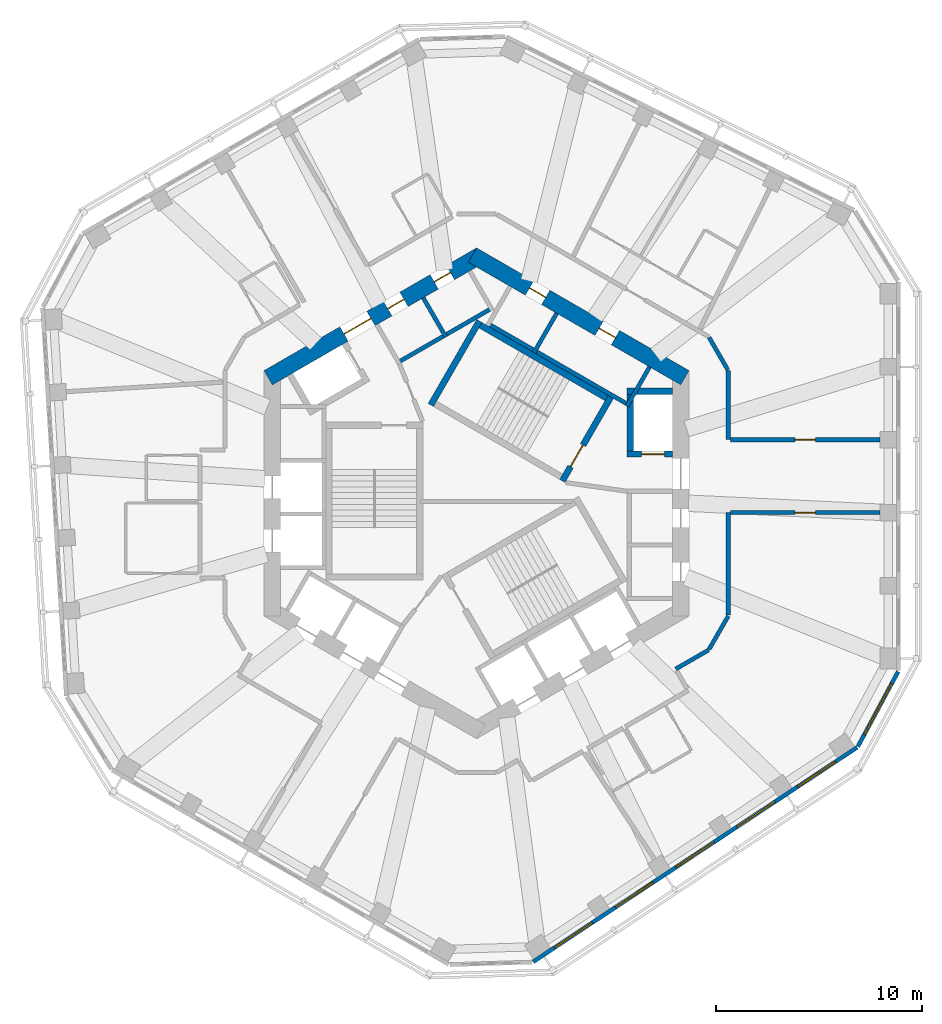
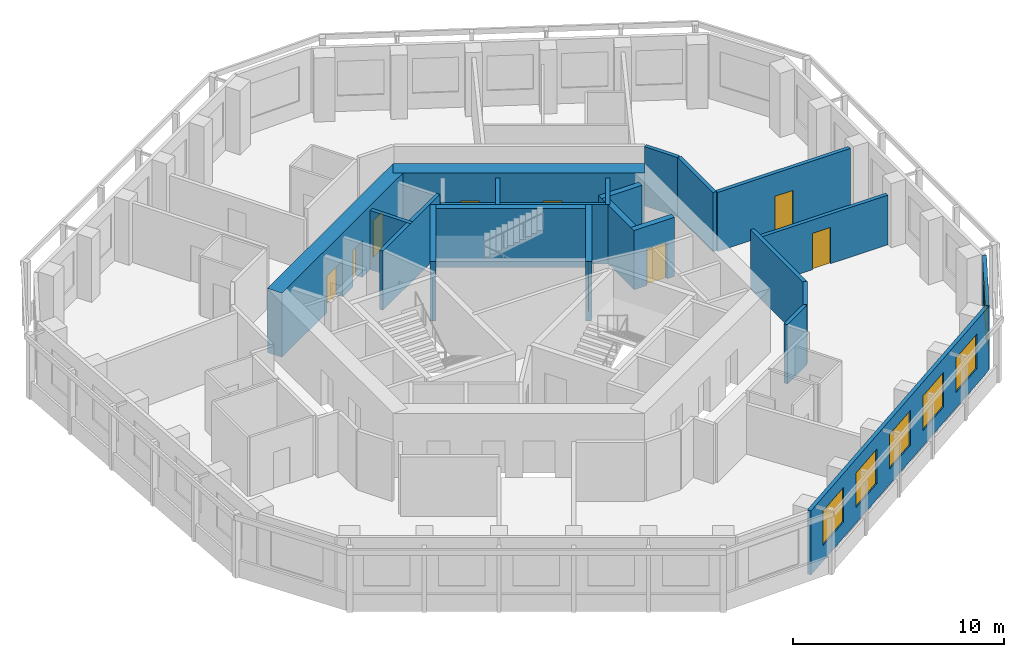
# One storey, part 6 of 11: 22 walls, 9 doors, 6 windows, 15 openings.
"""IFC4 building model written with IfcOpenShell, lengths in metres."""

from ifc_helpers import new_model, si_unit, direction, frame, frame_2d, origin, place, context, subcontext, project, spatial, rectangle, extrude, material, layer, layer_set, type_object, element, fill, save


model = new_model("IFC4")

# Units and contexts
model_context = context("Model", 3, precision=1e-05, world=origin(), true_north=direction((0.0, 1.0)))
body_context = subcontext(model_context, "Body", "Model", "MODEL_VIEW")
ifc_project = project(units=[si_unit("LENGTHUNIT", "METRE"), si_unit("AREAUNIT", "SQUARE_METRE"), si_unit("VOLUMEUNIT", "CUBIC_METRE"), si_unit("PLANEANGLEUNIT", "RADIAN"), si_unit("MASSUNIT", "GRAM", prefix="KILO")], contexts=[model_context])

# Site, building, storey
site_placement = place(None, origin())
site = spatial("IfcSite", under=ifc_project, at=site_placement, CompositionType="ELEMENT")
building_placement = place(site_placement, origin())
building = spatial("IfcBuilding", under=site, at=building_placement, Name="Vanh Sen Convention Tower", CompositionType="ELEMENT")
storey_placement = place(building_placement, frame((0.0, 0.0, 247.60009765625)))
storey = spatial("IfcBuildingStorey", under=building, at=storey_placement, Name="L61", CompositionType="ELEMENT", Elevation=247.60009765625)

# Wall, openings, doors
ifc_material_1 = material(Name="Concrete C60/75", Category="concrete")
ifc_layer_1 = layer(ifc_material_1, 0.800048828125)
ifc_layer_set_1 = layer_set([ifc_layer_1], Name="Concrete C60/75")
wall_type_1 = type_object("IfcWallType", Name="Core outer wall 800 C60/75", PredefinedType="SHEAR", material=ifc_layer_set_1)
wall_1_placement = place(storey_placement, frame((10.10009765625, 5.600341796875, 0.0), z_axis=(0.0, 0.0, 1.0), x_axis=(-0.866023897231, 0.500002609418, 0.0)))
wall_1 = element("IfcWall", 1, at=wall_1_placement, inside=storey, type_object=wall_type_1, Name="Core wall face NE L61", PredefinedType="SHEAR", context=body_context, shape_type="SweptSolid", body=[
    extrude(rectangle(XDim=11.8935546875, YDim=0.800048828125, at=frame_2d((5.94677734375, 0.0))), origin(), (0.0, 0.0, 1.0), 3.699951171875),
])
opening_1_placement = place(wall_1_placement, frame((3.896728515625, 0.0, 0.0)))
opening_1 = element("IfcOpeningElement", 2, at=opening_1_placement, cuts=wall_1, Name="Opening D61011", PredefinedType="OPENING", context=body_context, shape_type="SweptSolid", body=[
    extrude(rectangle(XDim=0.89990234375, YDim=2.10009765625, at=frame_2d((0.449951171875, 1.050048828125))), frame((0.0, 0.409912109375, 0.0), z_axis=(0.0, -1.0, 0.0), x_axis=(1.0, 0.0, 0.0)), (0.0, 0.0, 1.0), 0.820068359375),
])
opening_2_placement = place(wall_1_placement, frame((7.796630859375, 0.0, 0.0)))
opening_2 = element("IfcOpeningElement", 3, at=opening_2_placement, cuts=wall_1, Name="Opening D61012", PredefinedType="OPENING", context=body_context, shape_type="SweptSolid", body=[
    extrude(rectangle(XDim=0.89990234375, YDim=2.10009765625, at=frame_2d((0.449951171875, 1.050048828125))), frame((0.0, 0.409912109375, 0.0), z_axis=(0.0, -1.0, 0.0), x_axis=(1.0, 0.0, 0.0)), (0.0, 0.0, 1.0), 0.820068359375),
])
ifc_material_2 = material(Name="Steel S355", Category="steel")
door_type_1 = type_object("IfcDoorType", Name="Plant door 900", OperationType="SINGLE_SWING_LEFT", PredefinedType="DOOR", material=ifc_material_2)
door_1_placement = place(opening_1_placement, origin())
door_1 = element("IfcDoor", 4, at=door_1_placement, inside=storey, type_object=door_type_1, Name="Plant door D61011", OperationType="SINGLE_SWING_LEFT", OverallHeight=2.10009765625, OverallWidth=0.89990234375, PredefinedType="DOOR", context=body_context, shape_type="SweptSolid", body=[
    extrude(rectangle(XDim=0.89990234375, YDim=2.10009765625, at=frame_2d((0.449951171875, 1.050048828125))), frame((0.0, 0.02490234375, 0.0), z_axis=(0.0, -1.0, 0.0), x_axis=(1.0, 0.0, 0.0)), (0.0, 0.0, 1.0), 0.050048828125),
])
fill(opening_1, door_1)
door_2_placement = place(opening_2_placement, origin())
door_2 = element("IfcDoor", 5, at=door_2_placement, inside=storey, type_object=door_type_1, Name="Plant door D61012", OperationType="SINGLE_SWING_LEFT", OverallHeight=2.10009765625, OverallWidth=0.89990234375, PredefinedType="DOOR", context=body_context, shape_type="SweptSolid", body=[
    extrude(rectangle(XDim=0.89990234375, YDim=2.10009765625, at=frame_2d((0.449951171875, 1.050048828125))), frame((0.0, 0.02490234375, 0.0), z_axis=(0.0, -1.0, 0.0), x_axis=(1.0, 0.0, 0.0)), (0.0, 0.0, 1.0), 0.050048828125),
])
fill(opening_2, door_2)

wall_2_placement = place(storey_placement, frame((0.199951171875, 11.547119140625, 0.0), z_axis=(0.0, 0.0, 1.0), x_axis=(-0.866023897231, -0.500002609418, 0.0)))
wall_2 = element("IfcWall", 6, at=wall_2_placement, inside=storey, type_object=wall_type_1, Name="Core wall face NW L61", PredefinedType="SHEAR", context=body_context, shape_type="SweptSolid", body=[
    extrude(rectangle(XDim=11.8935546875, YDim=0.800048828125, at=frame_2d((5.94677734375, 0.0))), origin(), (0.0, 0.0, 1.0), 3.699951171875),
])
opening_3_placement = place(wall_2_placement, frame((6.146728515625, 0.0, 0.0)))
opening_3 = element("IfcOpeningElement", 7, at=opening_3_placement, cuts=wall_2, Name="Opening D61002", PredefinedType="OPENING", context=body_context, shape_type="SweptSolid", body=[
    extrude(rectangle(XDim=1.5, YDim=2.10009765625, at=frame_2d((0.75, 1.050048828125))), frame((0.0, 0.409912109375, 0.0), z_axis=(0.0, -1.0, 0.0), x_axis=(1.0, 0.0, 0.0)), (0.0, 0.0, 1.0), 0.820068359375),
])
opening_4_placement = place(wall_2_placement, frame((1.69677734375, 0.0, 0.0)))
opening_4 = element("IfcOpeningElement", 8, at=opening_4_placement, cuts=wall_2, Name="Opening D61013", PredefinedType="OPENING", context=body_context, shape_type="SweptSolid", body=[
    extrude(rectangle(XDim=0.89990234375, YDim=2.10009765625, at=frame_2d((0.449951171875, 1.050048828125))), frame((0.0, 0.409912109375, 0.0), z_axis=(0.0, -1.0, 0.0), x_axis=(1.0, 0.0, 0.0)), (0.0, 0.0, 1.0), 0.820068359375),
])
opening_5_placement = place(wall_2_placement, frame((4.296630859375, 0.0, 0.0)))
opening_5 = element("IfcOpeningElement", 9, at=opening_5_placement, cuts=wall_2, Name="Opening D61014", PredefinedType="OPENING", context=body_context, shape_type="SweptSolid", body=[
    extrude(rectangle(XDim=0.89990234375, YDim=2.10009765625, at=frame_2d((0.449951171875, 1.050048828125))), frame((0.0, 0.409912109375, 0.0), z_axis=(0.0, -1.0, 0.0), x_axis=(1.0, 0.0, 0.0)), (0.0, 0.0, 1.0), 0.820068359375),
])
door_3_placement = place(opening_4_placement, origin())
door_3 = element("IfcDoor", 10, at=door_3_placement, inside=storey, type_object=door_type_1, Name="Plant door D61013", OperationType="SINGLE_SWING_LEFT", OverallHeight=2.10009765625, OverallWidth=0.89990234375, PredefinedType="DOOR", context=body_context, shape_type="SweptSolid", body=[
    extrude(rectangle(XDim=0.89990234375, YDim=2.10009765625, at=frame_2d((0.449951171875, 1.050048828125))), frame((0.0, 0.02490234375, 0.0), z_axis=(0.0, -1.0, 0.0), x_axis=(1.0, 0.0, 0.0)), (0.0, 0.0, 1.0), 0.050048828125),
])
fill(opening_4, door_3)
door_4_placement = place(opening_5_placement, origin())
door_4 = element("IfcDoor", 11, at=door_4_placement, inside=storey, type_object=door_type_1, Name="Plant door D61014", OperationType="SINGLE_SWING_LEFT", OverallHeight=2.10009765625, OverallWidth=0.89990234375, PredefinedType="DOOR", context=body_context, shape_type="SweptSolid", body=[
    extrude(rectangle(XDim=0.89990234375, YDim=2.10009765625, at=frame_2d((0.449951171875, 1.050048828125))), frame((0.0, 0.02490234375, 0.0), z_axis=(0.0, -1.0, 0.0), x_axis=(1.0, 0.0, 0.0)), (0.0, 0.0, 1.0), 0.050048828125),
])
fill(opening_5, door_4)
door_type_2 = type_object("IfcDoorType", Name="Stair lobby door 1500", OperationType="DOUBLE_DOOR_SINGLE_SWING", PredefinedType="DOOR", material=ifc_material_2)
door_5_placement = place(opening_3_placement, origin())
door_5 = element("IfcDoor", 12, at=door_5_placement, inside=storey, type_object=door_type_2, Name="Stair lobby door D61002", OperationType="DOUBLE_DOOR_SINGLE_SWING", OverallHeight=2.10009765625, OverallWidth=1.5, PredefinedType="DOOR", context=body_context, shape_type="SweptSolid", body=[
    extrude(rectangle(XDim=1.5, YDim=2.10009765625, at=frame_2d((0.75, 1.050048828125))), frame((0.0, 0.02490234375, 0.0), z_axis=(0.0, -1.0, 0.0), x_axis=(1.0, 0.0, 0.0)), (0.0, 0.0, 1.0), 0.050048828125),
])
fill(opening_3, door_5)

# Walls
ifc_material_3 = material(Name="Gypsum board on steel studs with mineral wool", Category="steel")
ifc_layer_2 = layer(ifc_material_3, 0.199951171875)
ifc_layer_set_2 = layer_set([ifc_layer_2], Name="Gypsum board on steel studs with mineral wool")
wall_type_2 = type_object("IfcWallType", Name="Corridor partition wall 200", PredefinedType="PARTITIONING", material=ifc_layer_set_2)
wall_3_placement = place(storey_placement, frame((9.651611328125, -8.514892578125, 0.0), z_axis=(0.0, 0.0, 1.0), x_axis=(0.866020375458, 0.500008709215, 0.0)))
element("IfcWall", 13, at=wall_3_placement, inside=storey, type_object=wall_type_2, Name="Corridor partition wall 200", PredefinedType="PARTITIONING", context=body_context, shape_type="SweptSolid", body=[
    extrude(rectangle(XDim=1.845703125, YDim=0.199951171875, at=frame_2d((0.9228515625, 0.0))), origin(), (0.0, 0.0, 1.0), 3.419921875),
])
wall_4_placement = place(storey_placement, frame((11.27001953125, -7.5576171875, 0.0), z_axis=(0.0, 0.0, 1.0), x_axis=(0.499964847546, 0.866045698112, 0.0)))
element("IfcWall", 14, at=wall_4_placement, inside=storey, type_object=wall_type_2, Name="Corridor partition wall 200", PredefinedType="PARTITIONING", context=body_context, shape_type="SweptSolid", body=[
    extrude(rectangle(XDim=1.860107421875, YDim=0.199951171875, at=frame_2d((0.93017578125, 0.0))), origin(), (0.0, 0.0, 1.0), 3.419921875),
])
wall_5_placement = place(storey_placement, frame((12.179931640625, 5.981201171875, 0.0), z_axis=(0.0, 0.0, 1.0), x_axis=(-0.499904359745, 0.86608061467, 0.0)))
element("IfcWall", 15, at=wall_5_placement, inside=storey, type_object=wall_type_2, Name="Corridor partition wall 200", PredefinedType="PARTITIONING", context=body_context, shape_type="SweptSolid", body=[
    extrude(rectangle(XDim=1.820068359375, YDim=0.199951171875, at=frame_2d((0.91015625, 0.0))), origin(), (0.0, 0.0, 1.0), 3.419921875),
])
wall_6_placement = place(storey_placement, frame((12.199951171875, -5.90673828125, 0.0), z_axis=(0.0, 0.0, 1.0), x_axis=(0.0, 1.0, 0.0)))
element("IfcWall", 16, at=wall_6_placement, inside=storey, type_object=wall_type_2, Name="Corridor partition wall 200", PredefinedType="PARTITIONING", context=body_context, shape_type="SweptSolid", body=[
    extrude(rectangle(XDim=4.97119140625, YDim=0.199951171875, at=frame_2d((2.485595703125, 0.0))), origin(), (0.0, 0.0, 1.0), 3.419921875),
])
wall_7_placement = place(storey_placement, frame((12.199951171875, 2.59814453125, 0.0), z_axis=(0.0, 0.0, 1.0), x_axis=(0.0, 1.0, 0.0)))
element("IfcWall", 17, at=wall_7_placement, inside=storey, type_object=wall_type_2, Name="Corridor partition wall 200", PredefinedType="PARTITIONING", context=body_context, shape_type="SweptSolid", body=[
    extrude(rectangle(XDim=3.3486328125, YDim=0.199951171875, at=frame_2d((1.67431640625, 0.0))), origin(), (0.0, 0.0, 1.0), 3.419921875),
])

# Wall, opening, door
wall_8_placement = place(storey_placement, frame((12.300048828125, -0.935546875, 0.0), z_axis=(0.0, 0.0, 1.0), x_axis=(1.0, 0.0, 0.0)))
wall_8 = element("IfcWall", 18, at=wall_8_placement, inside=storey, type_object=wall_type_2, Name="Corridor partition wall 200", PredefinedType="PARTITIONING", context=body_context, shape_type="SweptSolid", body=[
    extrude(rectangle(XDim=7.25, YDim=0.199951171875, at=frame_2d((3.625, 0.0))), origin(), (0.0, 0.0, 1.0), 2.869873046875),
])
opening_6_placement = place(wall_8_placement, frame((3.125, 0.0, 0.0)))
opening_6 = element("IfcOpeningElement", 19, at=opening_6_placement, cuts=wall_8, Name="Opening D61114", PredefinedType="OPENING", context=body_context, shape_type="SweptSolid", body=[
    extrude(rectangle(XDim=1.0, YDim=2.10009765625, at=frame_2d((0.5, 1.050048828125))), frame((0.0, 0.10986328125, 0.0), z_axis=(0.0, -1.0, 0.0), x_axis=(1.0, 0.0, 0.0)), (0.0, 0.0, 1.0), 0.219970703125),
])
ifc_material_4 = material(Name="Glazed fire door in steel frame", Category="steel")
door_type_3 = type_object("IfcDoorType", Name="Tenant entrance door 1000", OperationType="SINGLE_SWING_LEFT", PredefinedType="DOOR", material=ifc_material_4)
door_6_placement = place(opening_6_placement, origin())
door_6 = element("IfcDoor", 20, at=door_6_placement, inside=storey, type_object=door_type_3, Name="Tenant suite entrance door D61114", OperationType="SINGLE_SWING_LEFT", OverallHeight=2.10009765625, OverallWidth=1.0, PredefinedType="DOOR", context=body_context, shape_type="SweptSolid", body=[
    extrude(rectangle(XDim=1.0, YDim=2.10009765625, at=frame_2d((0.5, 1.050048828125))), frame((0.0, 0.02490234375, 0.0), z_axis=(0.0, -1.0, 0.0), x_axis=(1.0, 0.0, 0.0)), (0.0, 0.0, 1.0), 0.050048828125),
])
fill(opening_6, door_6)

wall_9_placement = place(storey_placement, frame((19.550048828125, 2.59814453125, 0.0), z_axis=(0.0, 0.0, 1.0), x_axis=(-1.0, 0.0, 0.0)))
wall_9 = element("IfcWall", 21, at=wall_9_placement, inside=storey, type_object=wall_type_2, Name="Corridor partition wall 200", PredefinedType="PARTITIONING", context=body_context, shape_type="SweptSolid", body=[
    extrude(rectangle(XDim=7.25, YDim=0.199951171875, at=frame_2d((3.625, 0.0))), origin(), (0.0, 0.0, 1.0), 3.419921875),
])
opening_7_placement = place(wall_9_placement, frame((3.125, 0.0, 0.0)))
opening_7 = element("IfcOpeningElement", 22, at=opening_7_placement, cuts=wall_9, Name="Opening D61101", PredefinedType="OPENING", context=body_context, shape_type="SweptSolid", body=[
    extrude(rectangle(XDim=1.0, YDim=2.10009765625, at=frame_2d((0.5, 1.050048828125))), frame((0.0, 0.10986328125, 0.0), z_axis=(0.0, -1.0, 0.0), x_axis=(1.0, 0.0, 0.0)), (0.0, 0.0, 1.0), 0.219970703125),
])
ifc_material_5 = material(Name="Timber fire door in steel frame", Category="steel")
door_type_4 = type_object("IfcDoorType", Name="Floor room door 1000", OperationType="SINGLE_SWING_LEFT", PredefinedType="DOOR", material=ifc_material_5)
door_7_placement = place(opening_7_placement, origin())
door_7 = element("IfcDoor", 23, at=door_7_placement, inside=storey, type_object=door_type_4, Name="Meeting and amenity room door D61101", OperationType="SINGLE_SWING_LEFT", OverallHeight=2.10009765625, OverallWidth=1.0, PredefinedType="DOOR", context=body_context, shape_type="SweptSolid", body=[
    extrude(rectangle(XDim=1.0, YDim=2.10009765625, at=frame_2d((0.5, 1.050048828125))), frame((0.0, 0.02490234375, 0.0), z_axis=(0.0, -1.0, 0.0), x_axis=(1.0, 0.0, 0.0)), (0.0, 0.0, 1.0), 0.050048828125),
])
fill(opening_7, door_7)

# Wall, openings, windows
ifc_material_6 = material(Name="Insulated lightweight infill wall")
ifc_layer_3 = layer(ifc_material_6, 0.199951171875)
ifc_layer_set_3 = layer_set([ifc_layer_3], Name="Insulated lightweight infill wall")
wall_type_3 = type_object("IfcWallType", Name="External wall 200", PredefinedType="STANDARD", material=ifc_layer_set_3)
wall_10_placement = place(storey_placement, frame((2.739013671875, -22.7109375, 0.0), z_axis=(0.0, 0.0, 1.0), x_axis=(0.833885723098, 0.551937134838, 0.0)))
wall_10 = element("IfcWall", 24, at=wall_10_placement, inside=storey, type_object=wall_type_3, Name="External wall SE L61", PredefinedType="STANDARD", context=body_context, shape_type="SweptSolid", body=[
    extrude(rectangle(XDim=18.84130859375, YDim=0.199951171875, at=frame_2d((9.420654296875, 0.0))), origin(), (0.0, 0.0, 1.0), 3.699951171875),
])
opening_8_placement = place(wall_10_placement, frame((1.25244140625, 0.0, 0.89990234375)))
opening_8 = element("IfcOpeningElement", 25, at=opening_8_placement, cuts=wall_10, Name="Opening WO3-SE1", PredefinedType="OPENING", context=body_context, shape_type="SweptSolid", body=[
    extrude(rectangle(XDim=2.199951171875, YDim=2.0, at=frame_2d((1.10009765625, 1.0))), frame((0.0, 0.10986328125, 0.0), z_axis=(0.0, -1.0, 0.0), x_axis=(1.0, 0.0, 0.0)), (0.0, 0.0, 1.0), 0.219970703125),
])
opening_9_placement = place(wall_10_placement, frame((4.7861328125, 0.0, 0.89990234375)))
opening_9 = element("IfcOpeningElement", 26, at=opening_9_placement, cuts=wall_10, Name="Opening WO3-SE2", PredefinedType="OPENING", context=body_context, shape_type="SweptSolid", body=[
    extrude(rectangle(XDim=2.199951171875, YDim=2.0, at=frame_2d((1.10009765625, 1.0))), frame((0.0, 0.10986328125, 0.0), z_axis=(0.0, -1.0, 0.0), x_axis=(1.0, 0.0, 0.0)), (0.0, 0.0, 1.0), 0.219970703125),
])
opening_10_placement = place(wall_10_placement, frame((8.31982421875, 0.0, 0.89990234375)))
opening_10 = element("IfcOpeningElement", 27, at=opening_10_placement, cuts=wall_10, Name="Opening WO3-SE3", PredefinedType="OPENING", context=body_context, shape_type="SweptSolid", body=[
    extrude(rectangle(XDim=2.199951171875, YDim=2.0, at=frame_2d((1.10009765625, 1.0))), frame((0.0, 0.10986328125, 0.0), z_axis=(0.0, -1.0, 0.0), x_axis=(1.0, 0.0, 0.0)), (0.0, 0.0, 1.0), 0.219970703125),
])
opening_11_placement = place(wall_10_placement, frame((11.853515625, 0.0, 0.89990234375)))
opening_11 = element("IfcOpeningElement", 28, at=opening_11_placement, cuts=wall_10, Name="Opening WO3-SE4", PredefinedType="OPENING", context=body_context, shape_type="SweptSolid", body=[
    extrude(rectangle(XDim=2.199951171875, YDim=2.0, at=frame_2d((1.10009765625, 1.0))), frame((0.0, 0.10986328125, 0.0), z_axis=(0.0, -1.0, 0.0), x_axis=(1.0, 0.0, 0.0)), (0.0, 0.0, 1.0), 0.219970703125),
])
opening_12_placement = place(wall_10_placement, frame((15.386962890625, 0.0, 0.89990234375)))
opening_12 = element("IfcOpeningElement", 29, at=opening_12_placement, cuts=wall_10, Name="Opening WO3-SE5", PredefinedType="OPENING", context=body_context, shape_type="SweptSolid", body=[
    extrude(rectangle(XDim=2.199951171875, YDim=2.0, at=frame_2d((1.10009765625, 1.0))), frame((0.0, 0.10986328125, 0.0), z_axis=(0.0, -1.0, 0.0), x_axis=(1.0, 0.0, 0.0)), (0.0, 0.0, 1.0), 0.219970703125),
])
ifc_material_7 = material(Name="Aluminium frame with clear low-emissivity glass", Category="aluminium")
window_type_1 = type_object("IfcWindowType", Name="Office window 2200 x 2000", PartitioningType="SINGLE_PANEL", PredefinedType="WINDOW", material=ifc_material_7)
window_1_placement = place(opening_8_placement, origin())
window_1 = element("IfcWindow", 30, at=window_1_placement, inside=storey, type_object=window_type_1, Name="Window WO3-SE1", OverallHeight=2.0, OverallWidth=2.199951171875, PartitioningType="SINGLE_PANEL", PredefinedType="WINDOW", context=body_context, shape_type="SweptSolid", body=[
    extrude(rectangle(XDim=2.199951171875, YDim=2.0, at=frame_2d((1.10009765625, 1.0))), frame((0.0, 0.030029296875, 0.0), z_axis=(0.0, -1.0, 0.0), x_axis=(1.0, 0.0, 0.0)), (0.0, 0.0, 1.0), 0.06005859375),
])
fill(opening_8, window_1)
window_2_placement = place(opening_9_placement, origin())
window_2 = element("IfcWindow", 31, at=window_2_placement, inside=storey, type_object=window_type_1, Name="Window WO3-SE2", OverallHeight=2.0, OverallWidth=2.199951171875, PartitioningType="SINGLE_PANEL", PredefinedType="WINDOW", context=body_context, shape_type="SweptSolid", body=[
    extrude(rectangle(XDim=2.199951171875, YDim=2.0, at=frame_2d((1.10009765625, 1.0))), frame((0.0, 0.030029296875, 0.0), z_axis=(0.0, -1.0, 0.0), x_axis=(1.0, 0.0, 0.0)), (0.0, 0.0, 1.0), 0.06005859375),
])
fill(opening_9, window_2)
window_3_placement = place(opening_10_placement, origin())
window_3 = element("IfcWindow", 32, at=window_3_placement, inside=storey, type_object=window_type_1, Name="Window WO3-SE3", OverallHeight=2.0, OverallWidth=2.199951171875, PartitioningType="SINGLE_PANEL", PredefinedType="WINDOW", context=body_context, shape_type="SweptSolid", body=[
    extrude(rectangle(XDim=2.199951171875, YDim=2.0, at=frame_2d((1.10009765625, 1.0))), frame((0.0, 0.030029296875, 0.0), z_axis=(0.0, -1.0, 0.0), x_axis=(1.0, 0.0, 0.0)), (0.0, 0.0, 1.0), 0.06005859375),
])
fill(opening_10, window_3)
window_4_placement = place(opening_11_placement, origin())
window_4 = element("IfcWindow", 33, at=window_4_placement, inside=storey, type_object=window_type_1, Name="Window WO3-SE4", OverallHeight=2.0, OverallWidth=2.199951171875, PartitioningType="SINGLE_PANEL", PredefinedType="WINDOW", context=body_context, shape_type="SweptSolid", body=[
    extrude(rectangle(XDim=2.199951171875, YDim=2.0, at=frame_2d((1.10009765625, 1.0))), frame((0.0, 0.030029296875, 0.0), z_axis=(0.0, -1.0, 0.0), x_axis=(1.0, 0.0, 0.0)), (0.0, 0.0, 1.0), 0.06005859375),
])
fill(opening_11, window_4)
window_5_placement = place(opening_12_placement, origin())
window_5 = element("IfcWindow", 34, at=window_5_placement, inside=storey, type_object=window_type_1, Name="Window WO3-SE5", OverallHeight=2.0, OverallWidth=2.199951171875, PartitioningType="SINGLE_PANEL", PredefinedType="WINDOW", context=body_context, shape_type="SweptSolid", body=[
    extrude(rectangle(XDim=2.199951171875, YDim=2.0, at=frame_2d((1.10009765625, 1.0))), frame((0.0, 0.030029296875, 0.0), z_axis=(0.0, -1.0, 0.0), x_axis=(1.0, 0.0, 0.0)), (0.0, 0.0, 1.0), 0.06005859375),
])
fill(opening_12, window_5)

# Wall, opening, window
wall_11_placement = place(storey_placement, frame((18.4833984375, -12.275634765625, 0.0), z_axis=(0.0, 0.0, 1.0), x_axis=(0.473267675015, 0.880918672629, 0.0)))
wall_11 = element("IfcWall", 35, at=wall_11_placement, inside=storey, type_object=wall_type_3, Name="External wall CH6 L61", PredefinedType="STANDARD", context=body_context, shape_type="SweptSolid", body=[
    extrude(rectangle(XDim=4.1298828125, YDim=0.199951171875, at=frame_2d((2.06494140625, 0.0))), origin(), (0.0, 0.0, 1.0), 3.699951171875),
])
opening_13_placement = place(wall_11_placement, frame((0.6650390625, 0.0, 0.89990234375)))
opening_13 = element("IfcOpeningElement", 36, at=opening_13_placement, cuts=wall_11, Name="Opening WO4-CH61", PredefinedType="OPENING", context=body_context, shape_type="SweptSolid", body=[
    extrude(rectangle(XDim=2.800048828125, YDim=2.0, at=frame_2d((1.39990234375, 1.0))), frame((0.0, 0.10986328125, 0.0), z_axis=(0.0, -1.0, 0.0), x_axis=(1.0, 0.0, 0.0)), (0.0, 0.0, 1.0), 0.219970703125),
])
window_type_2 = type_object("IfcWindowType", Name="Office window 2800 x 2000", PartitioningType="SINGLE_PANEL", PredefinedType="WINDOW", material=ifc_material_7)
window_6_placement = place(opening_13_placement, origin())
window_6 = element("IfcWindow", 37, at=window_6_placement, inside=storey, type_object=window_type_2, Name="Window WO4-CH61", OverallHeight=2.0, OverallWidth=2.800048828125, PartitioningType="SINGLE_PANEL", PredefinedType="WINDOW", context=body_context, shape_type="SweptSolid", body=[
    extrude(rectangle(XDim=2.800048828125, YDim=2.0, at=frame_2d((1.39990234375, 1.0))), frame((0.0, 0.030029296875, 0.0), z_axis=(0.0, -1.0, 0.0), x_axis=(1.0, 0.0, 0.0)), (0.0, 0.0, 1.0), 0.06005859375),
])
fill(opening_13, window_6)

# Wall, opening, door
ifc_layer_4 = layer(ifc_material_1, 0.300048828125)
ifc_layer_set_4 = layer_set([ifc_layer_4], Name="Concrete C60/75")
wall_type_4 = type_object("IfcWallType", Name="Fire-fighting lift shaft wall 300", PredefinedType="SHEAR", material=ifc_layer_set_4)
wall_12_placement = place(storey_placement, frame((7.300048828125, 1.89990234375, 0.0), z_axis=(0.0, 0.0, 1.0), x_axis=(1.0, 0.0, 0.0)))
wall_12 = element("IfcWall", 38, at=wall_12_placement, inside=storey, type_object=wall_type_4, Name="Fire-fighting lift shaft wall L61", PredefinedType="SHEAR", context=body_context, shape_type="SweptSolid", body=[
    extrude(rectangle(XDim=2.199951171875, YDim=0.300048828125, at=frame_2d((1.10009765625, 0.0))), origin(), (0.0, 0.0, 1.0), 3.419921875),
])
opening_14_placement = place(wall_12_placement, frame((0.699951171875, 0.0, 0.0)))
opening_14 = element("IfcOpeningElement", 39, at=opening_14_placement, cuts=wall_12, Name="Opening LD-FF1", PredefinedType="OPENING", context=body_context, shape_type="SweptSolid", body=[
    extrude(rectangle(XDim=1.10009765625, YDim=2.10009765625, at=frame_2d((0.550048828125, 1.050048828125))), frame((0.0, 0.159912109375, 0.0), z_axis=(0.0, -1.0, 0.0), x_axis=(1.0, 0.0, 0.0)), (0.0, 0.0, 1.0), 0.320068359375),
])
ifc_material_8 = material(Name="Stainless steel", Category="steel")
door_type_5 = type_object("IfcDoorType", Name="Fire-fighting lift landing door 1100", OperationType="DOUBLE_DOOR_SLIDING", PredefinedType="DOOR", material=ifc_material_8)
door_8_placement = place(opening_14_placement, origin())
door_8 = element("IfcDoor", 40, at=door_8_placement, inside=storey, type_object=door_type_5, Name="Lift FF1 landing door LD-FF1", OperationType="DOUBLE_DOOR_SLIDING", OverallHeight=2.10009765625, OverallWidth=1.10009765625, PredefinedType="DOOR", context=body_context, shape_type="SweptSolid", body=[
    extrude(rectangle(XDim=1.10009765625, YDim=2.10009765625, at=frame_2d((0.550048828125, 1.050048828125))), frame((0.0, 0.02490234375, 0.0), z_axis=(0.0, -1.0, 0.0), x_axis=(1.0, 0.0, 0.0)), (0.0, 0.0, 1.0), 0.050048828125),
])
fill(opening_14, door_8)

# Walls
wall_13_placement = place(storey_placement, frame((7.449951171875, 1.75, 0.0), z_axis=(0.0, 0.0, 1.0), x_axis=(0.0, 1.0, 0.0)))
element("IfcWall", 41, at=wall_13_placement, inside=storey, type_object=wall_type_4, Name="Fire-fighting lift shaft wall L61", PredefinedType="SHEAR", context=body_context, shape_type="SweptSolid", body=[
    extrude(rectangle(XDim=3.35009765625, YDim=0.300048828125, at=frame_2d((1.675048828125, 0.0))), origin(), (0.0, 0.0, 1.0), 3.419921875),
])
wall_14_placement = place(storey_placement, frame((7.300048828125, 4.949951171875, 0.0), z_axis=(0.0, 0.0, 1.0), x_axis=(1.0, 0.0, 0.0)))
element("IfcWall", 42, at=wall_14_placement, inside=storey, type_object=wall_type_4, Name="Fire-fighting lift shaft wall L61", PredefinedType="SHEAR", context=body_context, shape_type="SweptSolid", body=[
    extrude(rectangle(XDim=2.199951171875, YDim=0.300048828125, at=frame_2d((1.10009765625, 0.0))), origin(), (0.0, 0.0, 1.0), 3.419921875),
])
ifc_material_9 = material(Name="Concrete C40/50", Category="concrete")
ifc_layer_5 = layer(ifc_material_9, 0.199951171875)
ifc_layer_set_5 = layer_set([ifc_layer_5], Name="Concrete C40/50")
wall_type_5 = type_object("IfcWallType", Name="Lift shaft wall 200", PredefinedType="PARTITIONING", material=ifc_layer_set_5)
wall_15_placement = place(storey_placement, frame((7.423828125, 4.258544921875, 0.0), z_axis=(0.0, 0.0, 1.0), x_axis=(-0.866026010844, 0.49999894854, 0.0)))
element("IfcWall", 43, at=wall_15_placement, inside=storey, type_object=wall_type_5, Name="Lift shaft wall L61", PredefinedType="PARTITIONING", context=body_context, shape_type="SweptSolid", body=[
    extrude(rectangle(XDim=8.0, YDim=0.199951171875, at=frame_2d((4.0, 0.0))), origin(), (0.0, 0.0, 1.0), 3.419921875),
])
for number, where, z_axis, x_axis, name in (
    (44, (7.287353515625, 4.221923828125, 0.0), (0.0, 0.0, 1.0), (0.499946605688, 0.86605622881, 0.0), "Lift shaft wall L61"),
    (45, (2.783935546875, 6.822021484375, 0.0), (0.0, 0.0, 1.0), (0.50002983664, 0.866008176907, 0.0), "Lift shaft wall L61"),
):
    element("IfcWall", number, at=place(storey_placement, frame(where, z_axis=z_axis, x_axis=x_axis)), inside=storey, type_object=wall_type_5, Name=name, PredefinedType="PARTITIONING", context=body_context, shape_type="SweptSolid", body=[
        extrude(rectangle(XDim=2.199951171875, YDim=0.199951171875, at=frame_2d((1.10009765625, 0.0))), origin(), (0.0, 0.0, 1.0), 3.419921875),
    ])
wall_16_placement = place(storey_placement, frame((0.80322265625, 9.008544921875, 0.0), z_axis=(0.0, 0.0, 1.0), x_axis=(-0.866028230842, -0.499995103361, 0.0)))
element("IfcWall", 46, at=wall_16_placement, inside=storey, type_object=wall_type_5, Name="Lift shaft wall L61", PredefinedType="PARTITIONING", context=body_context, shape_type="SweptSolid", body=[
    extrude(rectangle(XDim=5.39990234375, YDim=0.199951171875, at=frame_2d((2.699951171875, 0.0))), origin(), (0.0, 0.0, 1.0), 3.419921875),
])
wall_17_placement = place(storey_placement, frame((-1.48486328125, 7.572021484375, 0.0), z_axis=(0.0, 0.0, 1.0), x_axis=(-0.50002983664, 0.866008176907, 0.0)))
element("IfcWall", 47, at=wall_17_placement, inside=storey, type_object=wall_type_5, Name="Lift shaft wall L61", PredefinedType="PARTITIONING", context=body_context, shape_type="SweptSolid", body=[
    extrude(rectangle(XDim=2.199951171875, YDim=0.199951171875, at=frame_2d((1.10009765625, 0.0))), origin(), (0.0, 0.0, 1.0), 3.419921875),
])

# Wall, opening, door
ifc_layer_6 = layer(ifc_material_1, 0.300048828125)
ifc_layer_set_6 = layer_set([ifc_layer_6], Name="Concrete C60/75")
wall_type_6 = type_object("IfcWallType", Name="Stair wall 300", PredefinedType="SHEAR", material=ifc_layer_set_6)
wall_18_placement = place(storey_placement, frame((4.157958984375, 0.601806640625, 0.0), z_axis=(0.0, 0.0, 1.0), x_axis=(0.499977259774, 0.866038532462, 0.0)))
wall_18 = element("IfcWall", 48, at=wall_18_placement, inside=storey, type_object=wall_type_6, Name="Stair wall L61", PredefinedType="SHEAR", context=body_context, shape_type="SweptSolid", body=[
    extrude(rectangle(XDim=4.699951171875, YDim=0.300048828125, at=frame_2d((2.35009765625, 0.0))), origin(), (0.0, 0.0, 1.0), 3.419921875),
])
opening_15_placement = place(wall_18_placement, frame((0.800048828125, 0.0, 0.0)))
opening_15 = element("IfcOpeningElement", 49, at=opening_15_placement, cuts=wall_18, Name="Opening D61004", PredefinedType="OPENING", context=body_context, shape_type="SweptSolid", body=[
    extrude(rectangle(XDim=1.199951171875, YDim=2.10009765625, at=frame_2d((0.60009765625, 1.050048828125))), frame((0.0, 0.159912109375, 0.0), z_axis=(0.0, -1.0, 0.0), x_axis=(1.0, 0.0, 0.0)), (0.0, 0.0, 1.0), 0.320068359375),
])
door_type_6 = type_object("IfcDoorType", Name="Stair door 1200", OperationType="SINGLE_SWING_RIGHT", PredefinedType="DOOR", material=ifc_material_2)
door_9_placement = place(opening_15_placement, origin())
door_9 = element("IfcDoor", 50, at=door_9_placement, inside=storey, type_object=door_type_6, Name="Stair ST1 door D61004", OperationType="SINGLE_SWING_RIGHT", OverallHeight=2.10009765625, OverallWidth=1.199951171875, PredefinedType="DOOR", context=body_context, shape_type="SweptSolid", body=[
    extrude(rectangle(XDim=1.199951171875, YDim=2.10009765625, at=frame_2d((0.60009765625, 1.050048828125))), frame((0.0, 0.02490234375, 0.0), z_axis=(0.0, -1.0, 0.0), x_axis=(1.0, 0.0, 0.0)), (0.0, 0.0, 1.0), 0.050048828125),
])
fill(opening_15, door_9)

# Walls
wall_19_placement = place(storey_placement, frame((-2.216064453125, 4.28173828125, 0.0), z_axis=(0.0, 0.0, 1.0), x_axis=(0.499977259774, 0.866038532462, 0.0)))
element("IfcWall", 51, at=wall_19_placement, inside=storey, type_object=wall_type_6, Name="Stair wall L61", PredefinedType="SHEAR", context=body_context, shape_type="SweptSolid", body=[
    extrude(rectangle(XDim=4.699951171875, YDim=0.300048828125, at=frame_2d((2.35009765625, 0.0))), origin(), (0.0, 0.0, 1.0), 3.419921875),
])
wall_20_placement = place(storey_placement, frame((6.302978515625, 4.6171875, 0.0), z_axis=(0.0, 0.0, 1.0), x_axis=(-0.866027801685, 0.499995846692, 0.0)))
element("IfcWall", 52, at=wall_20_placement, inside=storey, type_object=wall_type_6, Name="Stair wall L61", PredefinedType="SHEAR", context=body_context, shape_type="SweptSolid", body=[
    extrude(rectangle(XDim=7.06005859375, YDim=0.300048828125, at=frame_2d((3.530029296875, 0.0))), origin(), (0.0, 0.0, 1.0), 3.419921875),
])

save(model, "model.ifc")
